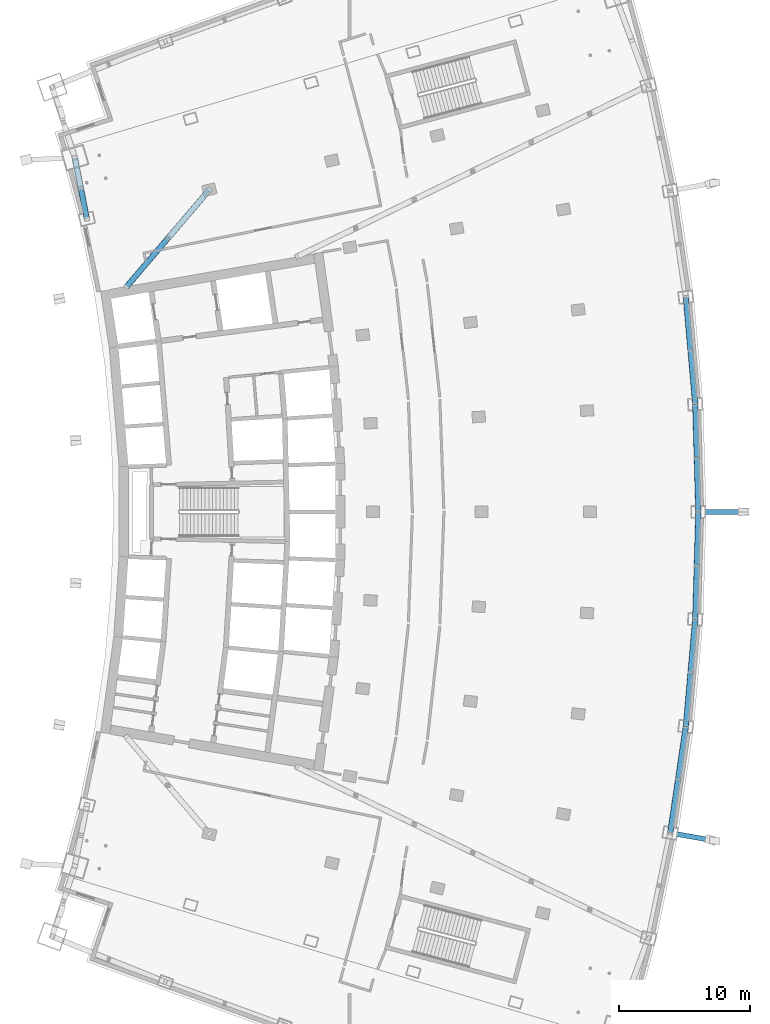
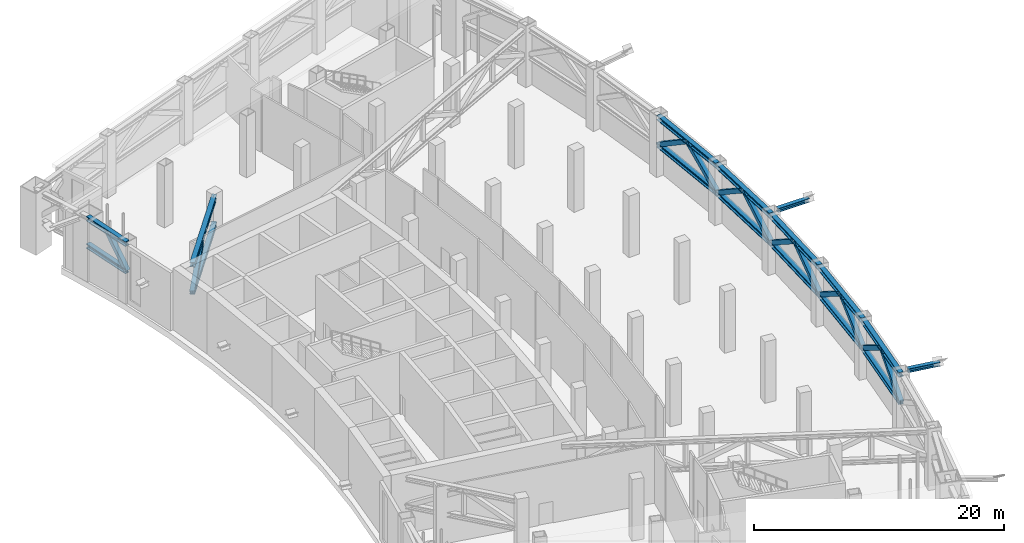
# One storey, part 12 of 26: 28 members.
"""IFC4 building model written with IfcOpenShell, lengths in metres."""

from ifc_helpers import new_model, si_unit, direction, frame, origin, origin_2d, place, context, subcontext, project, spatial, hollow_rectangle, i_section, extrude, material, material_profile, profile_set, type_object, element, save


model = new_model("IFC4")

# Units and contexts
model_context = context("Model", 3, precision=1e-05, world=origin(), true_north=direction((0.0, 1.0)))
body_context = subcontext(model_context, "Body", "Model", "MODEL_VIEW")
ifc_project = project(units=[si_unit("LENGTHUNIT", "METRE"), si_unit("AREAUNIT", "SQUARE_METRE"), si_unit("VOLUMEUNIT", "CUBIC_METRE"), si_unit("PLANEANGLEUNIT", "RADIAN"), si_unit("MASSUNIT", "GRAM", prefix="KILO")], contexts=[model_context])

# Site, building, storey
site_placement = place(None, origin())
site = spatial("IfcSite", under=ifc_project, at=site_placement, CompositionType="ELEMENT")
building_placement = place(site_placement, origin())
building = spatial("IfcBuilding", under=site, at=building_placement, Name="Alderwake Tower", CompositionType="ELEMENT")
storey_placement = place(building_placement, frame((0.0, 0.0, 132.800048828125)))
storey = spatial("IfcBuildingStorey", under=building, at=storey_placement, Name="L32", CompositionType="ELEMENT", Elevation=132.800048828125)

# Members
ifc_material_1 = material(Name="Steel ASTM A992 Grade 50", Category="steel")
ifc_material_profile_1 = material_profile(ifc_material_1, i_section(OverallWidth=0.42138671875, OverallDepth=0.464599609375, WebThickness=0.044921875, FlangeThickness=0.072265625, at=origin_2d()), Name="W14X398")
ifc_profile_set_1 = profile_set([ifc_material_profile_1], Name="Steel ASTM A992 Grade 50")
member_type_1 = type_object("IfcMemberType", Name="Belt truss chord W14X398", PredefinedType="CHORD", material=ifc_profile_set_1)
for number, where, z_axis, x_axis, name in (
    (1, (13.982177734375, 83.3359375, 5.44775390625), (-0.193457327913, 0.981108690348, 0.0), (-0.981108690348, -0.193457327913, 0.0), "Belt truss chord BT32R11.T"),
    (2, (13.982177734375, 83.3359375, 2.7822265625), (-0.193457327913, 0.981108690348, 0.0), (-0.981108690348, -0.193457327913, 0.0), "Belt truss chord BT32R11.B"),
):
    element("IfcMember", number, at=place(storey_placement, frame(where, z_axis=z_axis, x_axis=x_axis)), inside=storey, type_object=member_type_1, Name=name, PredefinedType="CHORD", context=body_context, shape_type="SweptSolid", body=[
        extrude(i_section(OverallWidth=0.42138671875, OverallDepth=0.464599609375, WebThickness=0.044921875, FlangeThickness=0.072265625, at=origin_2d()), origin(), (0.0, 0.0, 1.0), 4.75146484375),
    ])
for number, where, z_axis, x_axis, name in (
    (3, (58.45263671875, 36.5205078125, 5.44775390625), (0.145317422974, 0.989385085081, 0.0), (-0.989385085081, 0.145317422974, 0.0), "Belt truss chord BT32F04.T"),
    (4, (58.45263671875, 36.5205078125, 2.7822265625), (0.145317422974, 0.989385085081, 0.0), (-0.989385085081, 0.145317422974, 0.0), "Belt truss chord BT32F04.B"),
    (5, (59.644287109375, 44.6337890625, 5.44775390625), (0.087378564573, 0.996175178597, 0.0), (-0.996175178597, 0.087378564573, 0.0), "Belt truss chord BT32F05.T"),
    (6, (59.644287109375, 44.6337890625, 2.7822265625), (0.087378564573, 0.996175178597, 0.0), (-0.996175178597, 0.087378564573, 0.0), "Belt truss chord BT32F05.B"),
    (7, (60.36083984375, 52.802978515625, 5.44775390625), (0.02917595846, 0.99957429111, 0.0), (-0.99957429111, 0.02917595846, 0.0), "Belt truss chord BT32F06.T"),
    (8, (60.36083984375, 52.802978515625, 2.7822265625), (0.02917595846, 0.99957429111, 0.0), (-0.99957429111, 0.02917595846, 0.0), "Belt truss chord BT32F06.B"),
    (9, (60.60009765625, 61.0, 5.44775390625), (-0.02917595846, 0.99957429111, 0.0), (-0.99957429111, -0.02917595846, 0.0), "Belt truss chord BT32F07.T"),
    (10, (60.60009765625, 61.0, 2.7822265625), (-0.02917595846, 0.99957429111, 0.0), (-0.99957429111, -0.02917595846, 0.0), "Belt truss chord BT32F07.B"),
    (11, (60.36083984375, 69.197021484375, 5.44775390625), (-0.087378564573, 0.996175178597, 0.0), (-0.996175178597, -0.087378564573, 0.0), "Belt truss chord BT32F08.T"),
    (12, (60.36083984375, 69.197021484375, 2.7822265625), (-0.087378564573, 0.996175178597, 0.0), (-0.996175178597, -0.087378564573, 0.0), "Belt truss chord BT32F08.B"),
):
    element("IfcMember", number, at=place(storey_placement, frame(where, z_axis=z_axis, x_axis=x_axis)), inside=storey, type_object=member_type_1, Name=name, PredefinedType="CHORD", context=body_context, shape_type="SweptSolid", body=[
        extrude(i_section(OverallWidth=0.42138671875, OverallDepth=0.464599609375, WebThickness=0.044921875, FlangeThickness=0.072265625, at=origin_2d()), origin(), (0.0, 0.0, 1.0), 8.200439453125),
    ])
ifc_material_2 = material(Name="Steel ASTM A500 Grade C", Category="steel")
ifc_material_profile_2 = material_profile(ifc_material_2, hollow_rectangle(XDim=0.406494140625, YDim=0.406494140625, WallThickness=0.014892578125, at=origin_2d()), Name="HSS16X16X5/8")
ifc_profile_set_2 = profile_set([ifc_material_profile_2], Name="Steel ASTM A500 Grade C")
member_type_2 = type_object("IfcMemberType", Name="Belt truss diagonal HSS16X16X5/8", PredefinedType="BRACE", material=ifc_profile_set_2)
member_1_placement = place(storey_placement, frame((13.982177734375, 83.3359375, 2.7822265625), z_axis=(-0.128683991712, 0.652787496743, 0.746531254786), x_axis=(-0.981118441846, -0.193407867137, 0.0)))
element("IfcMember", 13, at=member_1_placement, inside=storey, type_object=member_type_2, Name="Belt truss diagonal BT32R11.D1", PredefinedType="BRACE", context=body_context, shape_type="SweptSolid", body=[
    extrude(hollow_rectangle(XDim=0.406494140625, YDim=0.406494140625, WallThickness=0.014892578125, at=origin_2d()), origin(), (0.0, 0.0, 1.0), 3.570556640625),
])
for number, where, z_axis, x_axis, name in (
    (14, (58.45263671875, 36.5205078125, 2.7822265625), (0.121810157588, 0.829507204294, 0.545050533009), (-0.989389365145, 0.145288279427, 0.0), "Belt truss diagonal BT32F04.D1"),
    (15, (59.644287109375, 44.6337890625, 2.7822265625), (-0.121859338603, -0.829502159047, 0.545047217891), (0.989380804195, -0.145346566144, 0.0), "Belt truss diagonal BT32F04.D2"),
):
    element("IfcMember", number, at=place(storey_placement, frame(where, z_axis=z_axis, x_axis=x_axis)), inside=storey, type_object=member_type_2, Name=name, PredefinedType="BRACE", context=body_context, shape_type="SweptSolid", body=[
        extrude(hollow_rectangle(XDim=0.406494140625, YDim=0.406494140625, WallThickness=0.014892578125, at=origin_2d()), origin(), (0.0, 0.0, 1.0), 4.890380859375),
    ])
member_2_placement = place(storey_placement, frame((59.644287109375, 44.6337890625, 2.7822265625), z_axis=(0.073232813789, 0.835213502044, 0.545027853405), x_axis=(-0.996177996724, 0.087346430052, 0.0)))
element("IfcMember", 16, at=member_2_placement, inside=storey, type_object=member_type_2, Name="Belt truss diagonal BT32F05.D1", PredefinedType="BRACE", context=body_context, shape_type="SweptSolid", body=[
    extrude(hollow_rectangle(XDim=0.406494140625, YDim=0.406494140625, WallThickness=0.014892578125, at=origin_2d()), origin(), (0.0, 0.0, 1.0), 4.890625),
])
member_3_placement = place(storey_placement, frame((60.36083984375, 52.802978515625, 2.7822265625), z_axis=(-0.073285521424, -0.835195349748, 0.54504858509), x_axis=(0.996172359281, -0.087410700743, 0.0)))
element("IfcMember", 17, at=member_3_placement, inside=storey, type_object=member_type_2, Name="Belt truss diagonal BT32F05.D2", PredefinedType="BRACE", context=body_context, shape_type="SweptSolid", body=[
    extrude(hollow_rectangle(XDim=0.406494140625, YDim=0.406494140625, WallThickness=0.014892578125, at=origin_2d()), origin(), (0.0, 0.0, 1.0), 4.890380859375),
])
member_4_placement = place(storey_placement, frame((60.36083984375, 52.802978515625, 2.7822265625), z_axis=(0.024460900901, 0.838060416987, 0.545028808236), x_axis=(-0.999574316451, 0.029175090247, 0.0)))
element("IfcMember", 18, at=member_4_placement, inside=storey, type_object=member_type_2, Name="Belt truss diagonal BT32F06.D1", PredefinedType="BRACE", context=body_context, shape_type="SweptSolid", body=[
    extrude(hollow_rectangle(XDim=0.406494140625, YDim=0.406494140625, WallThickness=0.014892578125, at=origin_2d()), origin(), (0.0, 0.0, 1.0), 4.890625),
])
for number, where, z_axis, x_axis, name in (
    (19, (60.60009765625, 61.0, 2.7822265625), (-0.024461924284, -0.838045557069, 0.545051610894), (0.999574265766, -0.029176826725, 0.0), "Belt truss diagonal BT32F06.D2"),
    (20, (60.60009765625, 61.0, 2.7822265625), (-0.024461924284, 0.838045557069, 0.545051610894), (-0.999574265766, -0.029176826725, 0.0), "Belt truss diagonal BT32F07.D1"),
):
    element("IfcMember", number, at=place(storey_placement, frame(where, z_axis=z_axis, x_axis=x_axis)), inside=storey, type_object=member_type_2, Name=name, PredefinedType="BRACE", context=body_context, shape_type="SweptSolid", body=[
        extrude(hollow_rectangle(XDim=0.406494140625, YDim=0.406494140625, WallThickness=0.014892578125, at=origin_2d()), origin(), (0.0, 0.0, 1.0), 4.890380859375),
    ])
member_5_placement = place(storey_placement, frame((60.36083984375, 69.197021484375, 2.7822265625), z_axis=(0.024460900901, -0.838060416987, 0.545028808236), x_axis=(0.999574316451, 0.029175090247, 0.0)))
element("IfcMember", 21, at=member_5_placement, inside=storey, type_object=member_type_2, Name="Belt truss diagonal BT32F07.D2", PredefinedType="BRACE", context=body_context, shape_type="SweptSolid", body=[
    extrude(hollow_rectangle(XDim=0.406494140625, YDim=0.406494140625, WallThickness=0.014892578125, at=origin_2d()), origin(), (0.0, 0.0, 1.0), 4.890625),
])
member_6_placement = place(storey_placement, frame((60.36083984375, 69.197021484375, 2.7822265625), z_axis=(-0.073285521424, 0.835195349748, 0.54504858509), x_axis=(-0.996172359281, -0.087410700743, 0.0)))
element("IfcMember", 22, at=member_6_placement, inside=storey, type_object=member_type_2, Name="Belt truss diagonal BT32F08.D1", PredefinedType="BRACE", context=body_context, shape_type="SweptSolid", body=[
    extrude(hollow_rectangle(XDim=0.406494140625, YDim=0.406494140625, WallThickness=0.014892578125, at=origin_2d()), origin(), (0.0, 0.0, 1.0), 4.890380859375),
])
member_7_placement = place(storey_placement, frame((59.644287109375, 77.3662109375, 2.7822265625), z_axis=(0.073232813789, -0.835213502044, 0.545027853405), x_axis=(0.996177996724, 0.087346430052, 0.0)))
element("IfcMember", 23, at=member_7_placement, inside=storey, type_object=member_type_2, Name="Belt truss diagonal BT32F08.D2", PredefinedType="BRACE", context=body_context, shape_type="SweptSolid", body=[
    extrude(hollow_rectangle(XDim=0.406494140625, YDim=0.406494140625, WallThickness=0.014892578125, at=origin_2d()), origin(), (0.0, 0.0, 1.0), 4.890625),
])
ifc_material_3 = material(Name="Steel ASTM A992 Grade 50", Category="steel")
ifc_material_profile_3 = material_profile(ifc_material_3, i_section(OverallWidth=0.3740234375, OverallDepth=0.372314453125, WebThickness=0.016357421875, FlangeThickness=0.026123046875, at=origin_2d()), Name="W14X132")
ifc_profile_set_3 = profile_set([ifc_material_profile_3], Name="Steel ASTM A992 Grade 50")
member_type_3 = type_object("IfcMemberType", Name="Brace node stub W14X132", PredefinedType="MEMBER", material=ifc_profile_set_3)
member_8_placement = place(storey_placement, frame((58.969482421875, 36.428955078125, 5.793701171875), z_axis=(0.984732838486, -0.174072504453, 0.0), x_axis=(0.174072504453, 0.984732838486, 0.0)))
element("IfcMember", 24, at=member_8_placement, inside=storey, type_object=member_type_3, Name="Brace node stub BS.FR04-C5.1388", PredefinedType="MEMBER", context=body_context, shape_type="SweptSolid", body=[
    extrude(i_section(OverallWidth=0.3740234375, OverallDepth=0.372314453125, WebThickness=0.016357421875, FlangeThickness=0.026123046875, at=origin_2d()), origin(), (0.0, 0.0, 1.0), 2.764404296875),
])
member_9_placement = place(storey_placement, frame((61.125, 61.0, 5.793701171875), z_axis=(1.0, 0.0, 0.0), x_axis=(0.0, 1.0, 0.0)))
element("IfcMember", 25, at=member_9_placement, inside=storey, type_object=member_type_3, Name="Brace node stub BS.FR07-C5.1388", PredefinedType="MEMBER", context=body_context, shape_type="SweptSolid", body=[
    extrude(i_section(OverallWidth=0.3740234375, OverallDepth=0.372314453125, WebThickness=0.016357421875, FlangeThickness=0.026123046875, at=origin_2d()), origin(), (0.0, 0.0, 1.0), 2.9140625),
])
ifc_material_4 = material(Name="Steel ASTM A992 Grade 50", Category="steel")
ifc_material_profile_4 = material_profile(ifc_material_4, i_section(OverallWidth=0.42138671875, OverallDepth=0.464599609375, WebThickness=0.044921875, FlangeThickness=0.072265625, at=origin_2d()), Name="W14X398")
ifc_profile_set_4 = profile_set([ifc_material_profile_4], Name="Steel ASTM A992 Grade 50")
member_type_4 = type_object("IfcMemberType", Name="Outrigger truss chord W14X398", PredefinedType="CHORD", material=ifc_profile_set_4)
for number, where, z_axis, x_axis, name in (
    (26, (16.99560546875, 78.149658203125, 5.44775390625), (0.649500341589, 0.760361299828, 0.0), (-0.760361299828, 0.649500341589, 0.0), "Outrigger truss chord OR32NR.T"),
    (27, (16.99560546875, 78.149658203125, 2.7822265625), (0.649500341589, 0.760361299828, 0.0), (-0.760361299828, 0.649500341589, 0.0), "Outrigger truss chord OR32NR.B"),
):
    element("IfcMember", number, at=place(storey_placement, frame(where, z_axis=z_axis, x_axis=x_axis)), inside=storey, type_object=member_type_4, Name=name, PredefinedType="CHORD", context=body_context, shape_type="SweptSolid", body=[
        extrude(i_section(OverallWidth=0.42138671875, OverallDepth=0.464599609375, WebThickness=0.044921875, FlangeThickness=0.072265625, at=origin_2d()), origin(), (0.0, 0.0, 1.0), 9.740478515625),
    ])
ifc_material_5 = material(Name="Steel ASTM A500 Grade C", Category="steel")
ifc_material_profile_5 = material_profile(ifc_material_5, hollow_rectangle(XDim=0.406494140625, YDim=0.406494140625, WallThickness=0.014892578125, at=origin_2d()), Name="HSS16X16X5/8")
ifc_profile_set_5 = profile_set([ifc_material_profile_5], Name="Steel ASTM A500 Grade C")
member_type_5 = type_object("IfcMemberType", Name="Outrigger truss diagonal HSS16X16X5/8", PredefinedType="BRACE", material=ifc_profile_set_5)
member_10_placement = place(storey_placement, frame((16.99560546875, 78.149658203125, 2.7822265625), z_axis=(0.569733217925, 0.667004742937, 0.480113250487), x_axis=(-0.760373678193, 0.649485850124, 0.0)))
element("IfcMember", 28, at=member_10_placement, inside=storey, type_object=member_type_5, Name="Outrigger truss diagonal OR32NR.D1", PredefinedType="BRACE", context=body_context, shape_type="SweptSolid", body=[
    extrude(hollow_rectangle(XDim=0.406494140625, YDim=0.406494140625, WallThickness=0.014892578125, at=origin_2d()), origin(), (0.0, 0.0, 1.0), 5.5517578125),
])

save(model, "model.ifc")
